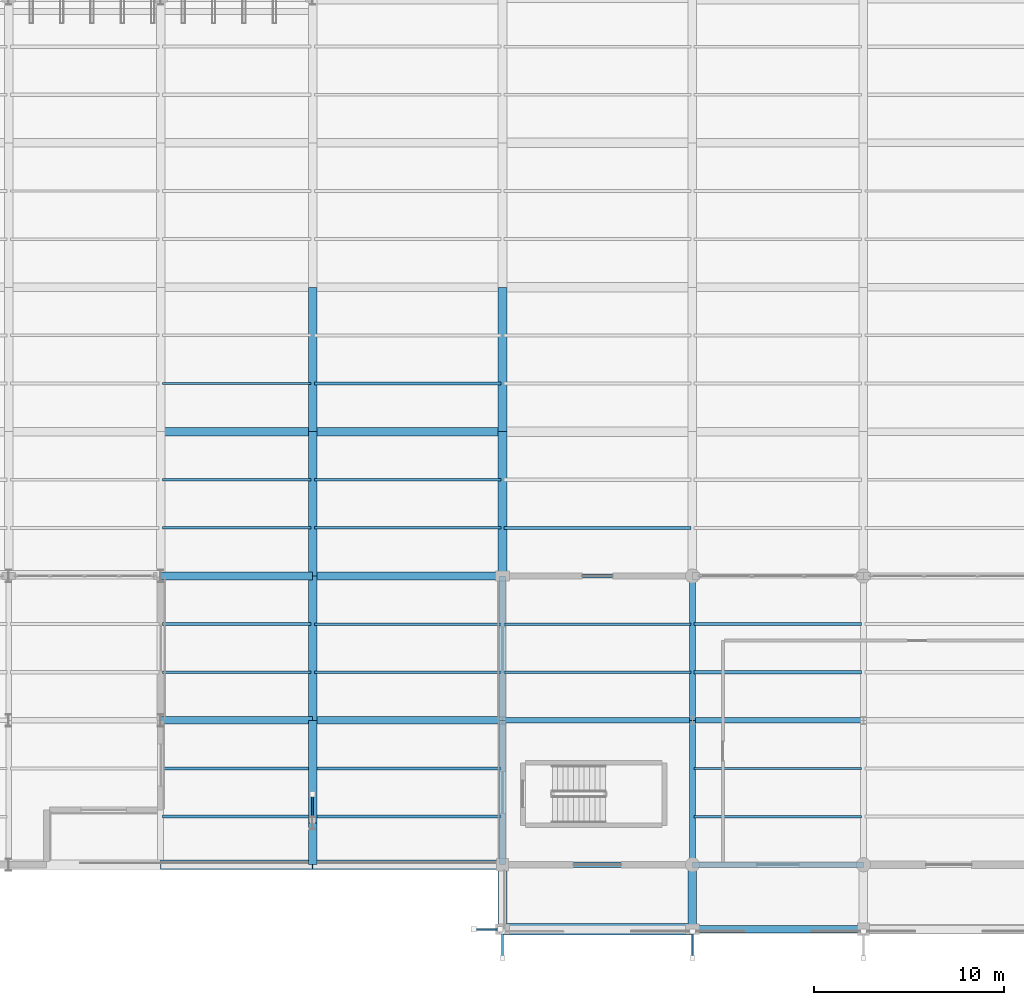
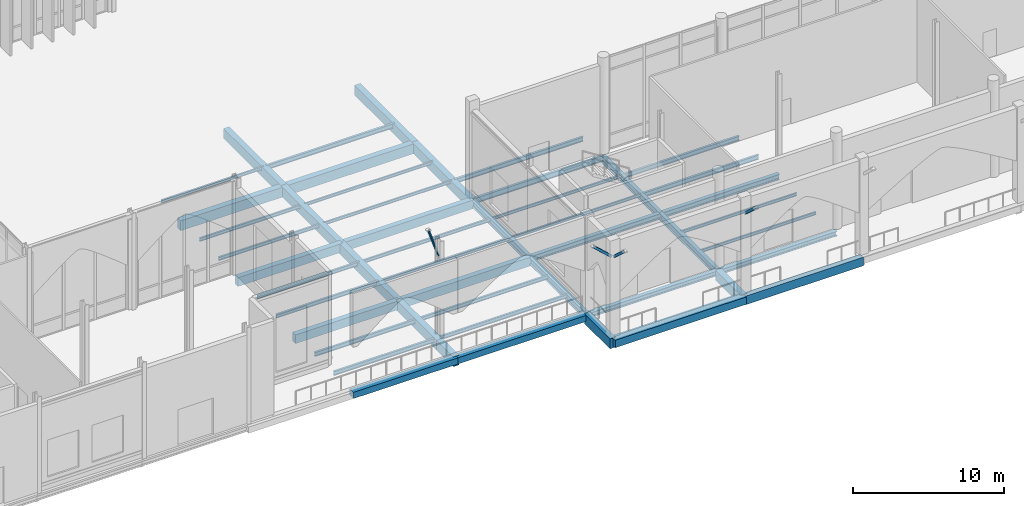
# One storey, part 79 of 176: 49 beams, 4 members.
"""IFC4 building model written with IfcOpenShell, lengths in metres."""

from ifc_helpers import new_model, si_unit, direction, frame, origin, origin_2d, place, context, subcontext, project, spatial, rectangle, hollow_rectangle, i_section, extrude, material, material_profile, profile_set, type_object, element, save


model = new_model("IFC4")

# Units and contexts
model_context = context("Model", 3, precision=1e-05, world=origin(), true_north=direction((0.0, 1.0)))
body_context = subcontext(model_context, "Body", "Model", "MODEL_VIEW")
ifc_project = project(units=[si_unit("LENGTHUNIT", "METRE"), si_unit("AREAUNIT", "SQUARE_METRE"), si_unit("VOLUMEUNIT", "CUBIC_METRE"), si_unit("PLANEANGLEUNIT", "RADIAN"), si_unit("MASSUNIT", "GRAM", prefix="KILO")], contexts=[model_context])

# Site, building, storey
site_placement = place(None, origin())
site = spatial("IfcSite", under=ifc_project, at=site_placement, CompositionType="ELEMENT")
building_placement = place(site_placement, origin())
building = spatial("IfcBuilding", under=site, at=building_placement, Name="Vekula Escarpment Museum", CompositionType="ELEMENT")
storey_placement = place(building_placement, origin())
storey = spatial("IfcBuildingStorey", under=building, at=storey_placement, Name="L01", CompositionType="ELEMENT", Elevation=0.0)

# Beams
ifc_material_1 = material(Name="Steel S355", Category="steel")
ifc_material_profile_1 = material_profile(ifc_material_1, i_section(OverallWidth=0.300048828125, OverallDepth=0.449951171875, WebThickness=0.013916015625, FlangeThickness=0.02587890625, FilletRadius=0.027099609375, at=origin_2d()), Name="HEB 450")
ifc_profile_set_1 = profile_set([ifc_material_profile_1], Name="Steel S355")
beam_type_1 = type_object("IfcBeamType", Name="BM-GIRD-HEB450", PredefinedType="BEAM", material=ifc_profile_set_1)
beam_1_placement = place(storey_placement, frame((136.0, 7.60009765625, -0.52490234375), z_axis=(1.0, 0.0, 0.0), x_axis=(0.0, 1.0, 0.0)))
element("IfcBeam", 1, at=beam_1_placement, inside=storey, type_object=beam_type_1, Name="Beam X L01 0044", PredefinedType="BEAM", context=body_context, shape_type="SweptSolid", body=[
    extrude(i_section(OverallWidth=0.300048828125, OverallDepth=0.449951171875, WebThickness=0.013916015625, FlangeThickness=0.02587890625, FilletRadius=0.027099609375, at=origin_2d()), origin(), (0.0, 0.0, 1.0), 10.0),
])
beam_2_placement = place(storey_placement, frame((146.0, 7.60009765625, -0.52490234375), z_axis=(1.0, 0.0, 0.0), x_axis=(0.0, 1.0, 0.0)))
element("IfcBeam", 2, at=beam_2_placement, inside=storey, type_object=beam_type_1, Name="Beam X L01 0045", PredefinedType="BEAM", context=body_context, shape_type="SweptSolid", body=[
    extrude(i_section(OverallWidth=0.300048828125, OverallDepth=0.449951171875, WebThickness=0.013916015625, FlangeThickness=0.02587890625, FilletRadius=0.027099609375, at=origin_2d()), origin(), (0.0, 0.0, 1.0), 9.0),
])
ifc_material_2 = material(Name="Steel S355", Category="steel")
ifc_material_profile_2 = material_profile(ifc_material_2, i_section(OverallWidth=0.300048828125, OverallDepth=0.550048828125, WebThickness=0.014892578125, FlangeThickness=0.029052734375, FilletRadius=0.027099609375, at=origin_2d()), Name="HEB 550")
ifc_profile_set_2 = profile_set([ifc_material_profile_2], Name="Steel S355")
beam_type_2 = type_object("IfcBeamType", Name="BM-GIRD-HEB550", PredefinedType="BEAM", material=ifc_profile_set_2)
beam_3_placement = place(storey_placement, frame((136.0, 0.0, -0.574951171875), z_axis=(0.0, 1.0, 0.0), x_axis=(-1.0, 0.0, 0.0)))
element("IfcBeam", 3, at=beam_3_placement, inside=storey, type_object=beam_type_2, Name="Beam Y L01 0668", PredefinedType="BEAM", context=body_context, shape_type="SweptSolid", body=[
    extrude(i_section(OverallWidth=0.300048828125, OverallDepth=0.550048828125, WebThickness=0.014892578125, FlangeThickness=0.029052734375, FilletRadius=0.027099609375, at=origin_2d()), origin(), (0.0, 0.0, 1.0), 7.60009765625),
])
beam_4_placement = place(storey_placement, frame((136.0, 7.60009765625, -0.574951171875), z_axis=(0.0, 1.0, 0.0), x_axis=(-1.0, 0.0, 0.0)))
element("IfcBeam", 4, at=beam_4_placement, inside=storey, type_object=beam_type_2, Name="Beam Y L01 0669", PredefinedType="BEAM", context=body_context, shape_type="SweptSolid", body=[
    extrude(i_section(OverallWidth=0.300048828125, OverallDepth=0.550048828125, WebThickness=0.014892578125, FlangeThickness=0.029052734375, FilletRadius=0.027099609375, at=origin_2d()), origin(), (0.0, 0.0, 1.0), 7.599853515625),
])
beam_5_placement = place(storey_placement, frame((146.0, 0.0, -0.574951171875), z_axis=(0.0, 1.0, 0.0), x_axis=(-1.0, 0.0, 0.0)))
element("IfcBeam", 5, at=beam_5_placement, inside=storey, type_object=beam_type_2, Name="Beam Y L01 0687", PredefinedType="BEAM", context=body_context, shape_type="SweptSolid", body=[
    extrude(i_section(OverallWidth=0.300048828125, OverallDepth=0.550048828125, WebThickness=0.014892578125, FlangeThickness=0.029052734375, FilletRadius=0.027099609375, at=origin_2d()), origin(), (0.0, 0.0, 1.0), 7.60009765625),
])
beam_6_placement = place(storey_placement, frame((146.0, 7.60009765625, -0.574951171875), z_axis=(0.0, 1.0, 0.0), x_axis=(-1.0, 0.0, 0.0)))
element("IfcBeam", 6, at=beam_6_placement, inside=storey, type_object=beam_type_2, Name="Beam Y L01 0688", PredefinedType="BEAM", context=body_context, shape_type="SweptSolid", body=[
    extrude(i_section(OverallWidth=0.300048828125, OverallDepth=0.550048828125, WebThickness=0.014892578125, FlangeThickness=0.029052734375, FilletRadius=0.027099609375, at=origin_2d()), origin(), (0.0, 0.0, 1.0), 7.599853515625),
])
ifc_material_3 = material(Name="Steel S355", Category="steel")
ifc_material_profile_3 = material_profile(ifc_material_3, i_section(OverallWidth=0.18994140625, OverallDepth=0.449951171875, WebThickness=0.009521484375, FlangeThickness=0.0146484375, FilletRadius=0.02099609375, at=origin_2d()), Name="IPE 450")
ifc_profile_set_3 = profile_set([ifc_material_profile_3], Name="Steel S355")
beam_type_3 = type_object("IfcBeamType", Name="BM-GIRD-IPE450", PredefinedType="BEAM", material=ifc_profile_set_3)
beam_7_placement = place(storey_placement, frame((136.0, 15.199951171875, -0.52490234375), z_axis=(1.0, 0.0, 0.0), x_axis=(0.0, 1.0, 0.0)))
element("IfcBeam", 7, at=beam_7_placement, inside=storey, type_object=beam_type_3, Name="Beam X L01 0063", PredefinedType="BEAM", context=body_context, shape_type="SweptSolid", body=[
    extrude(i_section(OverallWidth=0.18994140625, OverallDepth=0.449951171875, WebThickness=0.009521484375, FlangeThickness=0.0146484375, FilletRadius=0.02099609375, at=origin_2d()), origin(), (0.0, 0.0, 1.0), 10.0),
])
ifc_material_4 = material(Name="Steel S355", Category="steel")
ifc_material_profile_4 = material_profile(ifc_material_4, i_section(OverallWidth=0.1201171875, OverallDepth=0.239990234375, WebThickness=0.006103515625, FlangeThickness=0.009765625, FilletRadius=0.014892578125, at=origin_2d()), Name="IPE 240")
ifc_profile_set_4 = profile_set([ifc_material_profile_4], Name="Steel S355")
beam_type_4 = type_object("IfcBeamType", Name="BM-JST-IPE240", PredefinedType="JOIST", material=ifc_profile_set_4)
beam_8_placement = place(storey_placement, frame((118.090087890625, 25.333251953125, -0.419921875), z_axis=(1.0, 0.0, 0.0), x_axis=(0.0, 1.0, 0.0)))
element("IfcBeam", 8, at=beam_8_placement, inside=storey, type_object=beam_type_4, Name="Secondary Joist L01 0388", PredefinedType="JOIST", context=body_context, shape_type="SweptSolid", body=[
    extrude(i_section(OverallWidth=0.1201171875, OverallDepth=0.239990234375, WebThickness=0.006103515625, FlangeThickness=0.009765625, FilletRadius=0.014892578125, at=origin_2d()), origin(), (0.0, 0.0, 1.0), 7.81982421875),
])
for number, where, z_axis, x_axis, name in (
    (9, (126.090087890625, 17.7333984375, -0.419921875), (1.0, 0.0, 0.0), (0.0, 1.0, 0.0), "Secondary Joist L01 0417"),
    (10, (126.090087890625, 20.2666015625, -0.419921875), (1.0, 0.0, 0.0), (0.0, 1.0, 0.0), "Secondary Joist L01 0418"),
    (11, (136.090087890625, 10.13330078125, -0.419921875), (1.0, 0.0, 0.0), (0.0, 1.0, 0.0), "Secondary Joist L01 0445"),
    (12, (136.090087890625, 12.666748046875, -0.419921875), (1.0, 0.0, 0.0), (0.0, 1.0, 0.0), "Secondary Joist L01 0446"),
):
    element("IfcBeam", number, at=place(storey_placement, frame(where, z_axis=z_axis, x_axis=x_axis)), inside=storey, type_object=beam_type_4, Name=name, PredefinedType="JOIST", context=body_context, shape_type="SweptSolid", body=[
        extrude(i_section(OverallWidth=0.1201171875, OverallDepth=0.239990234375, WebThickness=0.006103515625, FlangeThickness=0.009765625, FilletRadius=0.014892578125, at=origin_2d()), origin(), (0.0, 0.0, 1.0), 9.81982421875),
    ])
for number, where, z_axis, x_axis, name in (
    (13, (146.090087890625, 2.533203125, -0.419921875), (1.0, 0.0, 0.0), (0.0, 1.0, 0.0), "Secondary Joist L01 0475"),
    (14, (146.090087890625, 5.066650390625, -0.419921875), (1.0, 0.0, 0.0), (0.0, 1.0, 0.0), "Secondary Joist L01 0476"),
):
    element("IfcBeam", number, at=place(storey_placement, frame(where, z_axis=z_axis, x_axis=x_axis)), inside=storey, type_object=beam_type_4, Name=name, PredefinedType="JOIST", context=body_context, shape_type="SweptSolid", body=[
        extrude(i_section(OverallWidth=0.1201171875, OverallDepth=0.239990234375, WebThickness=0.006103515625, FlangeThickness=0.009765625, FilletRadius=0.014892578125, at=origin_2d()), origin(), (0.0, 0.0, 1.0), 8.81982421875),
    ])
ifc_material_5 = material(Name="Steel S355", Category="steel")
ifc_material_profile_5 = material_profile(ifc_material_5, i_section(OverallWidth=0.135009765625, OverallDepth=0.27001953125, WebThickness=0.006591796875, FlangeThickness=0.01025390625, FilletRadius=0.014892578125, at=origin_2d()), Name="IPE 270")
ifc_profile_set_5 = profile_set([ifc_material_profile_5], Name="Steel S355")
beam_type_5 = type_object("IfcBeamType", Name="BM-JST-IPE270", PredefinedType="JOIST", material=ifc_profile_set_5)
for number, where, z_axis, x_axis, name in (
    (15, (118.090087890625, 17.7333984375, -0.43505859375), (1.0, 0.0, 0.0), (0.0, 1.0, 0.0), "Secondary Joist L01 0386"),
    (16, (118.090087890625, 20.2666015625, -0.43505859375), (1.0, 0.0, 0.0), (0.0, 1.0, 0.0), "Secondary Joist L01 0387"),
):
    element("IfcBeam", number, at=place(storey_placement, frame(where, z_axis=z_axis, x_axis=x_axis)), inside=storey, type_object=beam_type_5, Name=name, PredefinedType="JOIST", context=body_context, shape_type="SweptSolid", body=[
        extrude(i_section(OverallWidth=0.135009765625, OverallDepth=0.27001953125, WebThickness=0.006591796875, FlangeThickness=0.01025390625, FilletRadius=0.014892578125, at=origin_2d()), origin(), (0.0, 0.0, 1.0), 7.81982421875),
    ])
for number, where, z_axis, x_axis, name in (
    (17, (126.090087890625, 10.13330078125, -0.43505859375), (1.0, 0.0, 0.0), (0.0, 1.0, 0.0), "Secondary Joist L01 0415"),
    (18, (126.090087890625, 12.666748046875, -0.43505859375), (1.0, 0.0, 0.0), (0.0, 1.0, 0.0), "Secondary Joist L01 0416"),
):
    element("IfcBeam", number, at=place(storey_placement, frame(where, z_axis=z_axis, x_axis=x_axis)), inside=storey, type_object=beam_type_5, Name=name, PredefinedType="JOIST", context=body_context, shape_type="SweptSolid", body=[
        extrude(i_section(OverallWidth=0.135009765625, OverallDepth=0.27001953125, WebThickness=0.006591796875, FlangeThickness=0.01025390625, FilletRadius=0.014892578125, at=origin_2d()), origin(), (0.0, 0.0, 1.0), 9.81982421875),
    ])
ifc_material_6 = material(Name="Steel S355", Category="steel")
ifc_material_profile_6 = material_profile(ifc_material_6, i_section(OverallWidth=0.14990234375, OverallDepth=0.300048828125, WebThickness=0.007080078125, FlangeThickness=0.0107421875, FilletRadius=0.014892578125, at=origin_2d()), Name="IPE 300")
ifc_profile_set_6 = profile_set([ifc_material_profile_6], Name="Steel S355")
beam_type_6 = type_object("IfcBeamType", Name="BM-JST-IPE300", PredefinedType="JOIST", material=ifc_profile_set_6)
for number, where, z_axis, x_axis, name in (
    (19, (118.090087890625, 10.13330078125, -0.449951171875), (1.0, 0.0, 0.0), (0.0, 1.0, 0.0), "Secondary Joist L01 0384"),
    (20, (118.090087890625, 12.666748046875, -0.449951171875), (1.0, 0.0, 0.0), (0.0, 1.0, 0.0), "Secondary Joist L01 0385"),
):
    element("IfcBeam", number, at=place(storey_placement, frame(where, z_axis=z_axis, x_axis=x_axis)), inside=storey, type_object=beam_type_6, Name=name, PredefinedType="JOIST", context=body_context, shape_type="SweptSolid", body=[
        extrude(i_section(OverallWidth=0.14990234375, OverallDepth=0.300048828125, WebThickness=0.007080078125, FlangeThickness=0.0107421875, FilletRadius=0.014892578125, at=origin_2d()), origin(), (0.0, 0.0, 1.0), 7.81982421875),
    ])
for number, where, z_axis, x_axis, name in (
    (21, (126.090087890625, 2.533203125, -0.449951171875), (1.0, 0.0, 0.0), (0.0, 1.0, 0.0), "Secondary Joist L01 0413"),
    (22, (126.090087890625, 5.066650390625, -0.449951171875), (1.0, 0.0, 0.0), (0.0, 1.0, 0.0), "Secondary Joist L01 0414"),
):
    element("IfcBeam", number, at=place(storey_placement, frame(where, z_axis=z_axis, x_axis=x_axis)), inside=storey, type_object=beam_type_6, Name=name, PredefinedType="JOIST", context=body_context, shape_type="SweptSolid", body=[
        extrude(i_section(OverallWidth=0.14990234375, OverallDepth=0.300048828125, WebThickness=0.007080078125, FlangeThickness=0.0107421875, FilletRadius=0.014892578125, at=origin_2d()), origin(), (0.0, 0.0, 1.0), 9.81982421875),
    ])
ifc_material_7 = material(Name="Steel S355", Category="steel")
ifc_material_profile_7 = material_profile(ifc_material_7, i_section(OverallWidth=0.159912109375, OverallDepth=0.330078125, WebThickness=0.007568359375, FlangeThickness=0.011474609375, FilletRadius=0.01806640625, at=origin_2d()), Name="IPE 330")
ifc_profile_set_7 = profile_set([ifc_material_profile_7], Name="Steel S355")
beam_type_7 = type_object("IfcBeamType", Name="BM-JST-IPE330", PredefinedType="JOIST", material=ifc_profile_set_7)
for number, where, z_axis, x_axis, name in (
    (23, (118.090087890625, 2.533203125, -0.465087890625), (1.0, 0.0, 0.0), (0.0, 1.0, 0.0), "Secondary Joist L01 0382"),
    (24, (118.090087890625, 5.066650390625, -0.465087890625), (1.0, 0.0, 0.0), (0.0, 1.0, 0.0), "Secondary Joist L01 0383"),
):
    element("IfcBeam", number, at=place(storey_placement, frame(where, z_axis=z_axis, x_axis=x_axis)), inside=storey, type_object=beam_type_7, Name=name, PredefinedType="JOIST", context=body_context, shape_type="SweptSolid", body=[
        extrude(i_section(OverallWidth=0.159912109375, OverallDepth=0.330078125, WebThickness=0.007568359375, FlangeThickness=0.011474609375, FilletRadius=0.01806640625, at=origin_2d()), origin(), (0.0, 0.0, 1.0), 7.81982421875),
    ])
ifc_material_8 = material(Name="Steel S355", Category="steel")
ifc_material_profile_8 = material_profile(ifc_material_8, i_section(OverallWidth=0.169921875, OverallDepth=0.360107421875, WebThickness=0.008056640625, FlangeThickness=0.0126953125, FilletRadius=0.01806640625, at=origin_2d()), Name="IPE 360")
ifc_profile_set_8 = profile_set([ifc_material_profile_8], Name="Steel S355")
beam_type_8 = type_object("IfcBeamType", Name="BM-JST-IPE360", PredefinedType="JOIST", material=ifc_profile_set_8)
for number, where, z_axis, x_axis, name in (
    (25, (126.090087890625, 25.333251953125, -0.47998046875), (1.0, 0.0, 0.0), (0.0, 1.0, 0.0), "Secondary Joist L01 0419"),
    (26, (136.090087890625, 17.7333984375, -0.47998046875), (1.0, 0.0, 0.0), (0.0, 1.0, 0.0), "Secondary Joist L01 0447"),
):
    element("IfcBeam", number, at=place(storey_placement, frame(where, z_axis=z_axis, x_axis=x_axis)), inside=storey, type_object=beam_type_8, Name=name, PredefinedType="JOIST", context=body_context, shape_type="SweptSolid", body=[
        extrude(i_section(OverallWidth=0.169921875, OverallDepth=0.360107421875, WebThickness=0.008056640625, FlangeThickness=0.0126953125, FilletRadius=0.01806640625, at=origin_2d()), origin(), (0.0, 0.0, 1.0), 9.81982421875),
    ])
for number, where, z_axis, x_axis, name in (
    (27, (146.090087890625, 10.13330078125, -0.47998046875), (1.0, 0.0, 0.0), (0.0, 1.0, 0.0), "Secondary Joist L01 0477"),
    (28, (146.090087890625, 12.666748046875, -0.47998046875), (1.0, 0.0, 0.0), (0.0, 1.0, 0.0), "Secondary Joist L01 0478"),
):
    element("IfcBeam", number, at=place(storey_placement, frame(where, z_axis=z_axis, x_axis=x_axis)), inside=storey, type_object=beam_type_8, Name=name, PredefinedType="JOIST", context=body_context, shape_type="SweptSolid", body=[
        extrude(i_section(OverallWidth=0.169921875, OverallDepth=0.360107421875, WebThickness=0.008056640625, FlangeThickness=0.0126953125, FilletRadius=0.01806640625, at=origin_2d()), origin(), (0.0, 0.0, 1.0), 8.81982421875),
    ])
ifc_material_9 = material(Name="Concrete C35/45", Category="concrete")
ifc_material_profile_9 = material_profile(ifc_material_9, rectangle(XDim=0.449951171875, YDim=0.800048828125, at=origin_2d()), Name="RC 450x800")
ifc_profile_set_9 = profile_set([ifc_material_profile_9], Name="Concrete C35/45")
beam_type_9 = type_object("IfcBeamType", Name="BM-PLINTH-RC", PredefinedType="BEAM", material=ifc_profile_set_9)
beam_9_placement = place(storey_placement, frame((118.0, 22.800048828125, -0.699951171875), z_axis=(1.0, 0.0, 0.0), x_axis=(0.0, 1.0, 0.0)))
element("IfcBeam", 29, at=beam_9_placement, inside=storey, type_object=beam_type_9, Name="Beam X L01 0077", PredefinedType="BEAM", context=body_context, shape_type="SweptSolid", body=[
    extrude(rectangle(XDim=0.449951171875, YDim=0.800048828125, at=origin_2d()), origin(), (0.0, 0.0, 1.0), 8.0),
])
beam_10_placement = place(storey_placement, frame((126.0, 22.800048828125, -0.699951171875), z_axis=(1.0, 0.0, 0.0), x_axis=(0.0, 1.0, 0.0)))
element("IfcBeam", 30, at=beam_10_placement, inside=storey, type_object=beam_type_9, Name="Beam X L01 0078", PredefinedType="BEAM", context=body_context, shape_type="SweptSolid", body=[
    extrude(rectangle(XDim=0.449951171875, YDim=0.800048828125, at=origin_2d()), origin(), (0.0, 0.0, 1.0), 10.0),
])
beam_11_placement = place(storey_placement, frame((126.0, 0.0, -0.699951171875), z_axis=(0.0, 1.0, 0.0), x_axis=(-1.0, 0.0, 0.0)))
element("IfcBeam", 31, at=beam_11_placement, inside=storey, type_object=beam_type_9, Name="Beam Y L01 0648", PredefinedType="BEAM", context=body_context, shape_type="SweptSolid", body=[
    extrude(rectangle(XDim=0.449951171875, YDim=0.800048828125, at=origin_2d()), origin(), (0.0, 0.0, 1.0), 2.199951171875),
])
beam_12_placement = place(storey_placement, frame((126.0, 2.199951171875, -0.699951171875), z_axis=(0.0, 1.0, 0.0), x_axis=(-1.0, 0.0, 0.0)))
element("IfcBeam", 32, at=beam_12_placement, inside=storey, type_object=beam_type_9, Name="Beam Y L01 0649", PredefinedType="BEAM", context=body_context, shape_type="SweptSolid", body=[
    extrude(rectangle(XDim=0.449951171875, YDim=0.800048828125, at=origin_2d()), origin(), (0.0, 0.0, 1.0), 5.400146484375),
])
beam_13_placement = place(storey_placement, frame((126.0, 7.60009765625, -0.699951171875), z_axis=(0.0, 1.0, 0.0), x_axis=(-1.0, 0.0, 0.0)))
element("IfcBeam", 33, at=beam_13_placement, inside=storey, type_object=beam_type_9, Name="Beam Y L01 0650", PredefinedType="BEAM", context=body_context, shape_type="SweptSolid", body=[
    extrude(rectangle(XDim=0.449951171875, YDim=0.800048828125, at=origin_2d()), origin(), (0.0, 0.0, 1.0), 7.599853515625),
])
beam_14_placement = place(storey_placement, frame((126.0, 15.199951171875, -0.699951171875), z_axis=(0.0, 1.0, 0.0), x_axis=(-1.0, 0.0, 0.0)))
element("IfcBeam", 34, at=beam_14_placement, inside=storey, type_object=beam_type_9, Name="Beam Y L01 0651", PredefinedType="BEAM", context=body_context, shape_type="SweptSolid", body=[
    extrude(rectangle(XDim=0.449951171875, YDim=0.800048828125, at=origin_2d()), origin(), (0.0, 0.0, 1.0), 7.60009765625),
])
beam_15_placement = place(storey_placement, frame((126.0, 22.800048828125, -0.699951171875), z_axis=(0.0, 1.0, 0.0), x_axis=(-1.0, 0.0, 0.0)))
element("IfcBeam", 35, at=beam_15_placement, inside=storey, type_object=beam_type_9, Name="Beam Y L01 0652", PredefinedType="BEAM", context=body_context, shape_type="SweptSolid", body=[
    extrude(rectangle(XDim=0.449951171875, YDim=0.800048828125, at=origin_2d()), origin(), (0.0, 0.0, 1.0), 7.599853515625),
])
beam_16_placement = place(storey_placement, frame((136.0, -3.39990234375, -0.699951171875), z_axis=(0.0, 1.0, 0.0), x_axis=(-1.0, 0.0, 0.0)))
element("IfcBeam", 36, at=beam_16_placement, inside=storey, type_object=beam_type_9, Name="Beam Y L01 0667", PredefinedType="BEAM", context=body_context, shape_type="SweptSolid", body=[
    extrude(rectangle(XDim=0.449951171875, YDim=0.800048828125, at=origin_2d()), origin(), (0.0, 0.0, 1.0), 3.39990234375),
])
beam_17_placement = place(storey_placement, frame((136.0, 15.199951171875, -0.699951171875), z_axis=(0.0, 1.0, 0.0), x_axis=(-1.0, 0.0, 0.0)))
element("IfcBeam", 37, at=beam_17_placement, inside=storey, type_object=beam_type_9, Name="Beam Y L01 0670", PredefinedType="BEAM", context=body_context, shape_type="SweptSolid", body=[
    extrude(rectangle(XDim=0.449951171875, YDim=0.800048828125, at=origin_2d()), origin(), (0.0, 0.0, 1.0), 7.60009765625),
])
beam_18_placement = place(storey_placement, frame((136.0, 22.800048828125, -0.699951171875), z_axis=(0.0, 1.0, 0.0), x_axis=(-1.0, 0.0, 0.0)))
element("IfcBeam", 38, at=beam_18_placement, inside=storey, type_object=beam_type_9, Name="Beam Y L01 0671", PredefinedType="BEAM", context=body_context, shape_type="SweptSolid", body=[
    extrude(rectangle(XDim=0.449951171875, YDim=0.800048828125, at=origin_2d()), origin(), (0.0, 0.0, 1.0), 7.599853515625),
])
beam_19_placement = place(storey_placement, frame((146.0, -3.39990234375, -0.699951171875), z_axis=(0.0, 1.0, 0.0), x_axis=(-1.0, 0.0, 0.0)))
element("IfcBeam", 39, at=beam_19_placement, inside=storey, type_object=beam_type_9, Name="Beam Y L01 0686", PredefinedType="BEAM", context=body_context, shape_type="SweptSolid", body=[
    extrude(rectangle(XDim=0.449951171875, YDim=0.800048828125, at=origin_2d()), origin(), (0.0, 0.0, 1.0), 3.39990234375),
])
ifc_material_10 = material(Name="Concrete C35/45", Category="concrete")
ifc_material_profile_10 = material_profile(ifc_material_10, rectangle(XDim=0.39990234375, YDim=0.699951171875, at=origin_2d()), Name="RC 400x700")
ifc_profile_set_10 = profile_set([ifc_material_profile_10], Name="Concrete C35/45")
beam_type_10 = type_object("IfcBeamType", Name="BM-PLINTH-RC2", PredefinedType="BEAM", material=ifc_profile_set_10)
beam_20_placement = place(storey_placement, frame((146.0, -3.39990234375, -0.64990234375), z_axis=(1.0, 0.0, 0.0), x_axis=(0.0, 1.0, 0.0)))
element("IfcBeam", 40, at=beam_20_placement, inside=storey, type_object=beam_type_10, Name="Beam X L01 0002", PredefinedType="BEAM", context=body_context, shape_type="SweptSolid", body=[
    extrude(rectangle(XDim=0.39990234375, YDim=0.699951171875, at=origin_2d()), origin(), (0.0, 0.0, 1.0), 9.0),
])
beam_21_placement = place(storey_placement, frame((118.0, 7.60009765625, -0.64990234375), z_axis=(1.0, 0.0, 0.0), x_axis=(0.0, 1.0, 0.0)))
element("IfcBeam", 41, at=beam_21_placement, inside=storey, type_object=beam_type_10, Name="Beam X L01 0042", PredefinedType="BEAM", context=body_context, shape_type="SweptSolid", body=[
    extrude(rectangle(XDim=0.39990234375, YDim=0.699951171875, at=origin_2d()), origin(), (0.0, 0.0, 1.0), 8.0),
])
beam_22_placement = place(storey_placement, frame((126.0, 7.60009765625, -0.64990234375), z_axis=(1.0, 0.0, 0.0), x_axis=(0.0, 1.0, 0.0)))
element("IfcBeam", 42, at=beam_22_placement, inside=storey, type_object=beam_type_10, Name="Beam X L01 0043", PredefinedType="BEAM", context=body_context, shape_type="SweptSolid", body=[
    extrude(rectangle(XDim=0.39990234375, YDim=0.699951171875, at=origin_2d()), origin(), (0.0, 0.0, 1.0), 10.0),
])
beam_23_placement = place(storey_placement, frame((118.0, 15.199951171875, -0.64990234375), z_axis=(1.0, 0.0, 0.0), x_axis=(0.0, 1.0, 0.0)))
element("IfcBeam", 43, at=beam_23_placement, inside=storey, type_object=beam_type_10, Name="Beam X L01 0061", PredefinedType="BEAM", context=body_context, shape_type="SweptSolid", body=[
    extrude(rectangle(XDim=0.39990234375, YDim=0.699951171875, at=origin_2d()), origin(), (0.0, 0.0, 1.0), 8.0),
])
beam_24_placement = place(storey_placement, frame((126.0, 15.199951171875, -0.64990234375), z_axis=(1.0, 0.0, 0.0), x_axis=(0.0, 1.0, 0.0)))
element("IfcBeam", 44, at=beam_24_placement, inside=storey, type_object=beam_type_10, Name="Beam X L01 0062", PredefinedType="BEAM", context=body_context, shape_type="SweptSolid", body=[
    extrude(rectangle(XDim=0.39990234375, YDim=0.699951171875, at=origin_2d()), origin(), (0.0, 0.0, 1.0), 10.0),
])
ifc_material_11 = material(Name="Concrete C35/45", Category="concrete")
ifc_material_profile_11 = material_profile(ifc_material_11, rectangle(XDim=0.5, YDim=0.5, at=origin_2d()), Name="RC 500x500")
ifc_profile_set_11 = profile_set([ifc_material_profile_11], Name="Concrete C35/45")
beam_type_11 = type_object("IfcBeamType", Name="BM-PLINTH-RC3", PredefinedType="BEAM", material=ifc_profile_set_11)
beam_25_placement = place(storey_placement, frame((118.0, 0.0, -0.550048828125), z_axis=(1.0, 0.0, 0.0), x_axis=(0.0, 1.0, 0.0)))
element("IfcBeam", 45, at=beam_25_placement, inside=storey, type_object=beam_type_11, Name="Beam X L01 0023", PredefinedType="BEAM", context=body_context, shape_type="SweptSolid", body=[
    extrude(rectangle(XDim=0.5, YDim=0.5, at=origin_2d()), origin(), (0.0, 0.0, 1.0), 8.0),
])
beam_26_placement = place(storey_placement, frame((126.0, 0.0, -0.550048828125), z_axis=(1.0, 0.0, 0.0), x_axis=(0.0, 1.0, 0.0)))
element("IfcBeam", 46, at=beam_26_placement, inside=storey, type_object=beam_type_11, Name="Beam X L01 0024", PredefinedType="BEAM", context=body_context, shape_type="SweptSolid", body=[
    extrude(rectangle(XDim=0.5, YDim=0.5, at=origin_2d()), origin(), (0.0, 0.0, 1.0), 10.0),
])
ifc_material_12 = material(Name="Concrete C35/45", Category="concrete")
ifc_material_profile_12 = material_profile(ifc_material_12, rectangle(XDim=0.60009765625, YDim=0.60009765625, at=origin_2d()), Name="RC 600x600")
ifc_profile_set_12 = profile_set([ifc_material_profile_12], Name="Concrete C35/45")
beam_type_12 = type_object("IfcBeamType", Name="BM-PLINTH-RC4", PredefinedType="BEAM", material=ifc_profile_set_12)
beam_27_placement = place(storey_placement, frame((136.0, -3.39990234375, -0.60009765625), z_axis=(1.0, 0.0, 0.0), x_axis=(0.0, 1.0, 0.0)))
element("IfcBeam", 47, at=beam_27_placement, inside=storey, type_object=beam_type_12, Name="Beam X L01 0001", PredefinedType="BEAM", context=body_context, shape_type="SweptSolid", body=[
    extrude(rectangle(XDim=0.60009765625, YDim=0.60009765625, at=origin_2d()), origin(), (0.0, 0.0, 1.0), 10.0),
])
ifc_material_13 = material(Name="Steel S355", Category="steel")
ifc_material_profile_13 = material_profile(ifc_material_13, i_section(OverallWidth=0.300048828125, OverallDepth=0.389892578125, WebThickness=0.010986328125, FlangeThickness=0.01904296875, FilletRadius=0.027099609375, at=origin_2d()), Name="HEA 400")
ifc_profile_set_13 = profile_set([ifc_material_profile_13], Name="Steel S355")
beam_type_13 = type_object("IfcBeamType", Name="BM-SPAN-HEA400", PredefinedType="SPANDREL", material=ifc_profile_set_13)
beam_28_placement = place(storey_placement, frame((136.0, 0.0, -0.4951171875), z_axis=(1.0, 0.0, 0.0), x_axis=(0.0, 1.0, 0.0)))
element("IfcBeam", 48, at=beam_28_placement, inside=storey, type_object=beam_type_13, Name="Beam X L01 0025", PredefinedType="SPANDREL", context=body_context, shape_type="SweptSolid", body=[
    extrude(i_section(OverallWidth=0.300048828125, OverallDepth=0.389892578125, WebThickness=0.010986328125, FlangeThickness=0.01904296875, FilletRadius=0.027099609375, at=origin_2d()), origin(), (0.0, 0.0, 1.0), 10.0),
])
beam_29_placement = place(storey_placement, frame((146.0, 0.0, -0.4951171875), z_axis=(1.0, 0.0, 0.0), x_axis=(0.0, 1.0, 0.0)))
element("IfcBeam", 49, at=beam_29_placement, inside=storey, type_object=beam_type_13, Name="Beam X L01 0026", PredefinedType="SPANDREL", context=body_context, shape_type="SweptSolid", body=[
    extrude(i_section(OverallWidth=0.300048828125, OverallDepth=0.389892578125, WebThickness=0.010986328125, FlangeThickness=0.01904296875, FilletRadius=0.027099609375, at=origin_2d()), origin(), (0.0, 0.0, 1.0), 9.0),
])

# Members
ifc_material_14 = material(Name="Steel S355", Category="steel")
ifc_material_profile_14 = material_profile(ifc_material_14, hollow_rectangle(XDim=0.10009765625, YDim=0.199951171875, WallThickness=0.008056640625, InnerFilletRadius=0.008056640625, OuterFilletRadius=0.01611328125, at=origin_2d()), Name="RHS 200x100x8")
ifc_profile_set_14 = profile_set([ifc_material_profile_14], Name="Steel S355")
member_type = type_object("IfcMemberType", Name="MB-SACAK-BRK", PredefinedType="STRUT", material=ifc_profile_set_14)
for number, where, z_axis, x_axis, name in (
    (50, (126.0, 2.320068359375, 6.35009765625), (0.0, 0.738454378718, 0.674303441006), (-1.0, 0.0, 0.0), "Ottoman Sacak Eave Bracket L02-0019"),
    (51, (135.8798828125, -3.39990234375, 6.35009765625), (-0.738454378718, 0.0, 0.674303441006), (0.0, -1.0, 0.0), "Ottoman Sacak Eave Bracket L02-0020"),
    (52, (136.0, -3.52001953125, 6.35009765625), (0.0, -0.738454378718, 0.674303441006), (1.0, 0.0, 0.0), "Ottoman Sacak Eave Bracket L02-0021"),
    (53, (146.0, -3.52001953125, 6.35009765625), (0.0, -0.738454378718, 0.674303441006), (1.0, 0.0, 0.0), "Ottoman Sacak Eave Bracket L02-0022"),
):
    element("IfcMember", number, at=place(storey_placement, frame(where, z_axis=z_axis, x_axis=x_axis)), inside=storey, type_object=member_type, Name=name, PredefinedType="STRUT", context=body_context, shape_type="SweptSolid", body=[
        extrude(hollow_rectangle(XDim=0.10009765625, YDim=0.199951171875, WallThickness=0.008056640625, InnerFilletRadius=0.008056640625, OuterFilletRadius=0.01611328125, at=origin_2d()), origin(), (0.0, 0.0, 1.0), 1.86865234375),
    ])

save(model, "model.ifc")
